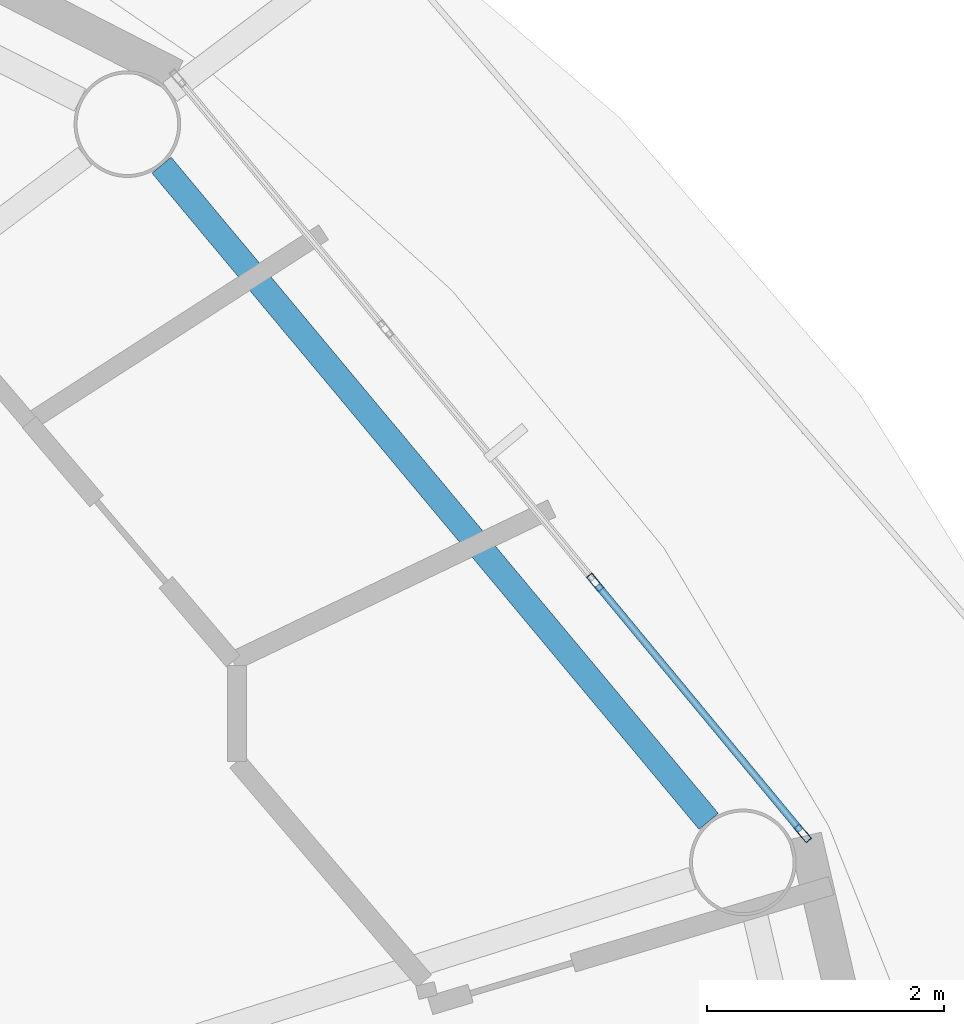
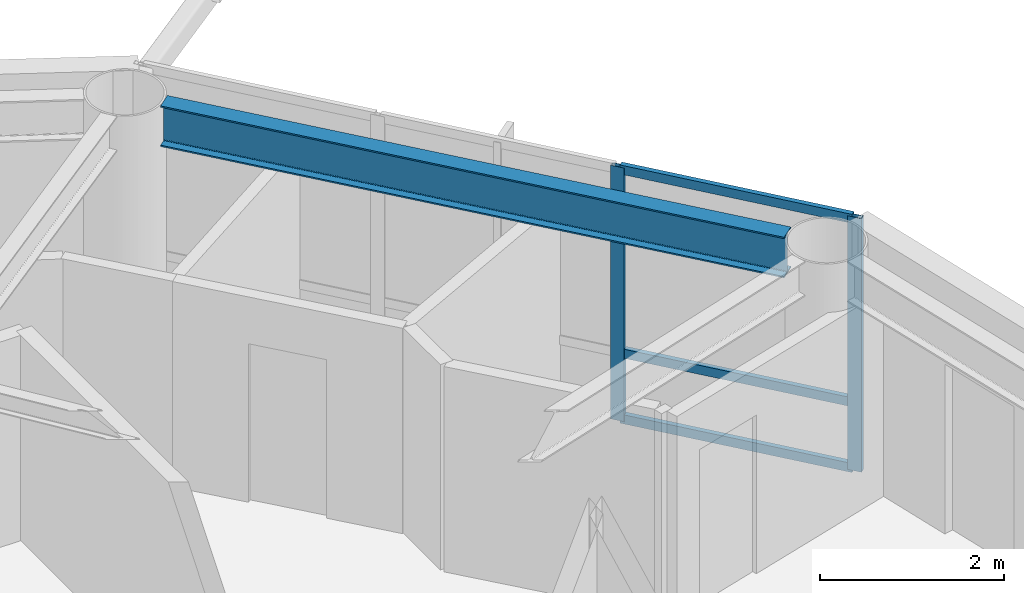
# One storey, part 7 of 23: 5 members, 1 beam, 1 element without a shape of its own.
"""IFC4 building model written with IfcOpenShell, lengths in metres."""

from ifc_helpers import new_model, si_unit, direction, frame, origin, origin_2d, place, context, subcontext, project, spatial, hollow_rectangle, i_section, extrude, material, layer, layer_set, material_profile, profile_set, type_object, element, aggregate, save


model = new_model("IFC4")

# Units and contexts
model_context = context("Model", 3, precision=1e-05, world=origin(), true_north=direction((0.0, 1.0)))
body_context = subcontext(model_context, "Body", "Model", "MODEL_VIEW")
ifc_project = project(units=[si_unit("LENGTHUNIT", "METRE"), si_unit("AREAUNIT", "SQUARE_METRE"), si_unit("VOLUMEUNIT", "CUBIC_METRE"), si_unit("PLANEANGLEUNIT", "RADIAN"), si_unit("MASSUNIT", "GRAM", prefix="KILO")], contexts=[model_context])

# Site, building, storey
site_placement = place(None, origin())
site = spatial("IfcSite", under=ifc_project, at=site_placement, CompositionType="ELEMENT")
building_placement = place(site_placement, origin())
building = spatial("IfcBuilding", under=site, at=building_placement, Name="Sarneth Arch Tower", CompositionType="ELEMENT")
storey_placement = place(building_placement, frame((0.0, 0.0, 228.0)))
storey = spatial("IfcBuildingStorey", under=building, at=storey_placement, Name="L58", CompositionType="ELEMENT", Elevation=228.0)

# Beam
ifc_material_1 = material(Name="Steel S355", Category="steel")
ifc_material_profile_1 = material_profile(ifc_material_1, i_section(OverallWidth=0.2109375, OverallDepth=0.5390625, WebThickness=0.01171875, FlangeThickness=0.018798828125, FilletRadius=0.01806640625, at=origin_2d()), Name="W530x109")
ifc_profile_set_1 = profile_set([ifc_material_profile_1], Name="Steel S355")
beam_type = type_object("IfcBeamType", Name="BM-RAD-530B", PredefinedType="BEAM", material=ifc_profile_set_1)
beam_placement = place(storey_placement, frame((70.880615234375, 49.693115234375, 3.090576171875), z_axis=(-0.640390876881, 0.768049168222, 0.0), x_axis=(-0.768049168222, -0.640390876881, 0.0)))
element("IfcBeam", 1, at=beam_placement, inside=storey, type_object=beam_type, Name="L58 Perimeter spandrel beam 02", PredefinedType="BEAM", context=body_context, shape_type="SweptSolid", body=[
    extrude(i_section(OverallWidth=0.2109375, OverallDepth=0.5390625, WebThickness=0.01171875, FlangeThickness=0.018798828125, FilletRadius=0.01806640625, at=origin_2d()), origin(), (0.0, 0.0, 1.0), 7.2099609375),
])

# Curtain wall, members
ifc_material_2 = material(Name="Anodised aluminium Type AA25 and solar-control low-e laminated IGU", Category="aluminium")
ifc_layer = layer(ifc_material_2, 0.179931640625)
ifc_layer_set = layer_set([ifc_layer], Name="Anodised aluminium Type AA25 and solar-control low-e laminated IGU")
curtain_wall_type = type_object("IfcCurtainWallType", Name="CW-RES-HIGH", PredefinedType="NOTDEFINED", material=ifc_layer_set)
curtain_wall_placement = place(storey_placement, origin())
curtain_wall = element("IfcCurtainWall", 2, at=curtain_wall_placement, inside=storey, type_object=curtain_wall_type, Name="L58 Unitised curtain wall facet 02", PredefinedType="NOTDEFINED")
ifc_material_3 = material(Name="Anodised Aluminium 6063-T6", Category="aluminium")
ifc_material_profile_2 = material_profile(ifc_material_3, hollow_rectangle(XDim=0.06005859375, YDim=0.159912109375, WallThickness=0.00390625, at=origin_2d()), Name="AL-MULL-160x60x4")
ifc_profile_set_2 = profile_set([ifc_material_profile_2], Name="Anodised Aluminium 6063-T6")
member_type_1 = type_object("IfcMemberType", Name="CW-MULLION", PredefinedType="MULLION", material=ifc_profile_set_2)
member_1_placement = place(storey_placement, frame((71.674560546875, 49.592529296875, 0.0), z_axis=(0.0, 0.0, 1.0), x_axis=(-0.770359245933, -0.637610094184, 0.0)))
member_1 = element("IfcMember", 3, at=member_1_placement, type_object=member_type_1, Name="CW-SYS-6 mullion 1", PredefinedType="MULLION", context=body_context, shape_type="SweptSolid", body=[
    extrude(hollow_rectangle(XDim=0.06005859375, YDim=0.159912109375, WallThickness=0.00390625, at=origin_2d()), origin(), (0.0, 0.0, 1.0), 3.360107421875),
])
member_2_placement = place(storey_placement, frame((69.92333984375, 51.70849609375, 0.0), z_axis=(0.0, 0.0, 1.0), x_axis=(-0.770359245933, -0.637610094184, 0.0)))
member_2 = element("IfcMember", 4, at=member_2_placement, type_object=member_type_1, Name="CW-SYS-6 mullion 2", PredefinedType="MULLION", context=body_context, shape_type="SweptSolid", body=[
    extrude(hollow_rectangle(XDim=0.06005859375, YDim=0.159912109375, WallThickness=0.00390625, at=origin_2d()), origin(), (0.0, 0.0, 1.0), 3.360107421875),
])
ifc_material_4 = material(Name="Anodised Aluminium 6063-T6", Category="aluminium")
ifc_material_profile_3 = material_profile(ifc_material_4, hollow_rectangle(XDim=0.06005859375, YDim=0.1201171875, WallThickness=0.00390625, at=origin_2d()), Name="AL-TRAN-120x60x4")
ifc_profile_set_3 = profile_set([ifc_material_profile_3], Name="Anodised Aluminium 6063-T6")
member_type_2 = type_object("IfcMemberType", Name="CW-TRANSOM", PredefinedType="USERDEFINED", material=ifc_profile_set_3)
member_3_placement = place(storey_placement, frame((71.655517578125, 49.61572265625, 0.030029296875), z_axis=(-0.637651400067, 0.770325056059, 0.0), x_axis=(-0.770325056059, -0.637651400067, 0.0)))
member_3 = element("IfcMember", 5, at=member_3_placement, type_object=member_type_2, Name="CW-SYS-6 transom 1.1", ObjectType="TRANSOM", PredefinedType="USERDEFINED", context=body_context, shape_type="SweptSolid", body=[
    extrude(hollow_rectangle(XDim=0.06005859375, YDim=0.1201171875, WallThickness=0.00390625, at=origin_2d()), origin(), (0.0, 0.0, 1.0), 2.6865234375),
])
member_4_placement = place(storey_placement, frame((71.655517578125, 49.61572265625, 0.89990234375), z_axis=(-0.637651400067, 0.770325056059, 0.0), x_axis=(-0.770325056059, -0.637651400067, 0.0)))
member_4 = element("IfcMember", 6, at=member_4_placement, type_object=member_type_2, Name="CW-SYS-6 transom 1.2", ObjectType="TRANSOM", PredefinedType="USERDEFINED", context=body_context, shape_type="SweptSolid", body=[
    extrude(hollow_rectangle(XDim=0.06005859375, YDim=0.1201171875, WallThickness=0.00390625, at=origin_2d()), origin(), (0.0, 0.0, 1.0), 2.6865234375),
])
member_5_placement = place(storey_placement, frame((71.655517578125, 49.61572265625, 3.330078125), z_axis=(-0.637651400067, 0.770325056059, 0.0), x_axis=(-0.770325056059, -0.637651400067, 0.0)))
member_5 = element("IfcMember", 7, at=member_5_placement, type_object=member_type_2, Name="CW-SYS-6 transom 1.3", ObjectType="TRANSOM", PredefinedType="USERDEFINED", context=body_context, shape_type="SweptSolid", body=[
    extrude(hollow_rectangle(XDim=0.06005859375, YDim=0.1201171875, WallThickness=0.00390625, at=origin_2d()), origin(), (0.0, 0.0, 1.0), 2.6865234375),
])
aggregate(curtain_wall, [member_1, member_2, member_3, member_4, member_5])

save(model, "model.ifc")
